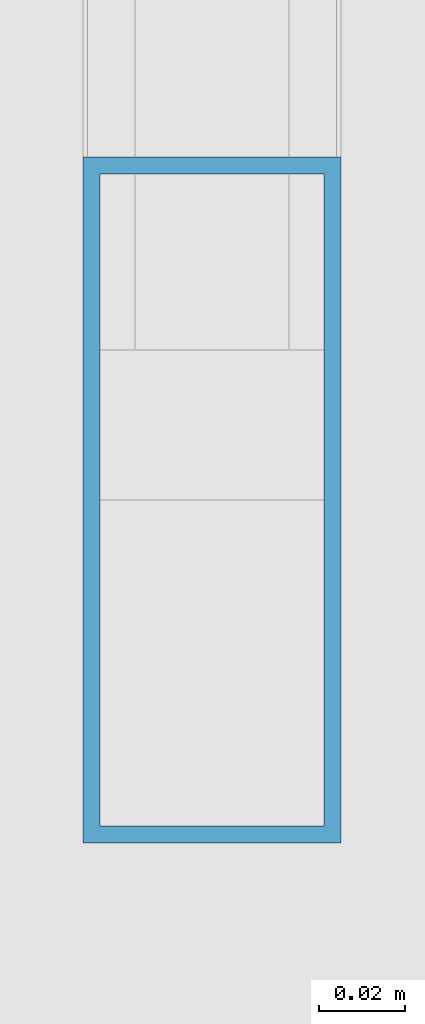
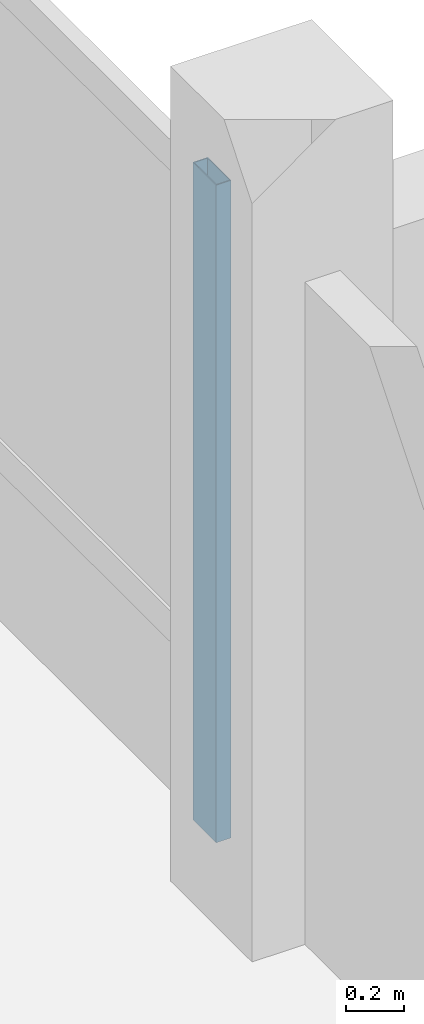
# One storey, part 4 of 66: 1 member, 1 element without a shape of its own.
"""IFC4 building model written with IfcOpenShell, lengths in metres."""

from ifc_helpers import new_model, si_unit, direction, frame, origin, origin_2d, place, context, subcontext, project, spatial, hollow_rectangle, extrude, material, material_profile, profile_set, type_object, element, aggregate, save


model = new_model("IFC4")

# Units and contexts
model_context = context("Model", 3, precision=1e-05, world=origin(), true_north=direction((0.0, 1.0)))
body_context = subcontext(model_context, "Body", "Model", "MODEL_VIEW")
ifc_project = project(units=[si_unit("LENGTHUNIT", "METRE"), si_unit("AREAUNIT", "SQUARE_METRE"), si_unit("VOLUMEUNIT", "CUBIC_METRE"), si_unit("PLANEANGLEUNIT", "RADIAN"), si_unit("MASSUNIT", "GRAM", prefix="KILO")], contexts=[model_context])

# Site, building, storey
site_placement = place(None, origin())
site = spatial("IfcSite", under=ifc_project, at=site_placement, CompositionType="ELEMENT")
building_placement = place(site_placement, origin())
building = spatial("IfcBuilding", under=site, at=building_placement, Name="Zornivar Specialist Clinic", CompositionType="ELEMENT")
storey_placement = place(building_placement, frame((0.0, 0.0, 16.0)))
storey = spatial("IfcBuildingStorey", under=building, at=storey_placement, Name="L04", CompositionType="ELEMENT", Elevation=16.0)

# Curtain wall, member
ifc_material_1 = material(Name="Aluminium and Low-E Glass Curtain Wall", Category="aluminium")
curtain_wall_type = type_object("IfcCurtainWallType", Name="CW-REVAK-COURT", PredefinedType="NOTDEFINED", material=ifc_material_1)
curtain_wall_placement = place(storey_placement, origin())
curtain_wall = element("IfcCurtainWall", 1, at=curtain_wall_placement, inside=storey, type_object=curtain_wall_type, Name="cw:V2:L04:12", PredefinedType="NOTDEFINED")
ifc_material_2 = material(Name="Aluminium AW-6060", Category="aluminium")
ifc_material_profile = material_profile(ifc_material_2, hollow_rectangle(XDim=0.06005859375, YDim=0.159912109375, WallThickness=0.00390625, at=origin_2d()), Name="ALU 60x160x4")
ifc_profile_set = profile_set([ifc_material_profile], Name="Aluminium AW-6060")
member_type = type_object("IfcMemberType", Name="CWM-MUL-160", PredefinedType="MULLION", material=ifc_profile_set)
member_placement = place(storey_placement, frame((14.39990234375, 14.8798828125, 0.0), z_axis=(0.0, 0.0, 1.0), x_axis=(1.0, 0.0, 0.0)))
member = element("IfcMember", 2, at=member_placement, type_object=member_type, Name="cw:V2:L04:12:mul:0", PredefinedType="MULLION", context=body_context, shape_type="SweptSolid", body=[
    extrude(hollow_rectangle(XDim=0.06005859375, YDim=0.159912109375, WallThickness=0.00390625, at=origin_2d()), origin(), (0.0, 0.0, 1.0), 2.760009765625),
])
aggregate(curtain_wall, [member])

save(model, "model.ifc")
